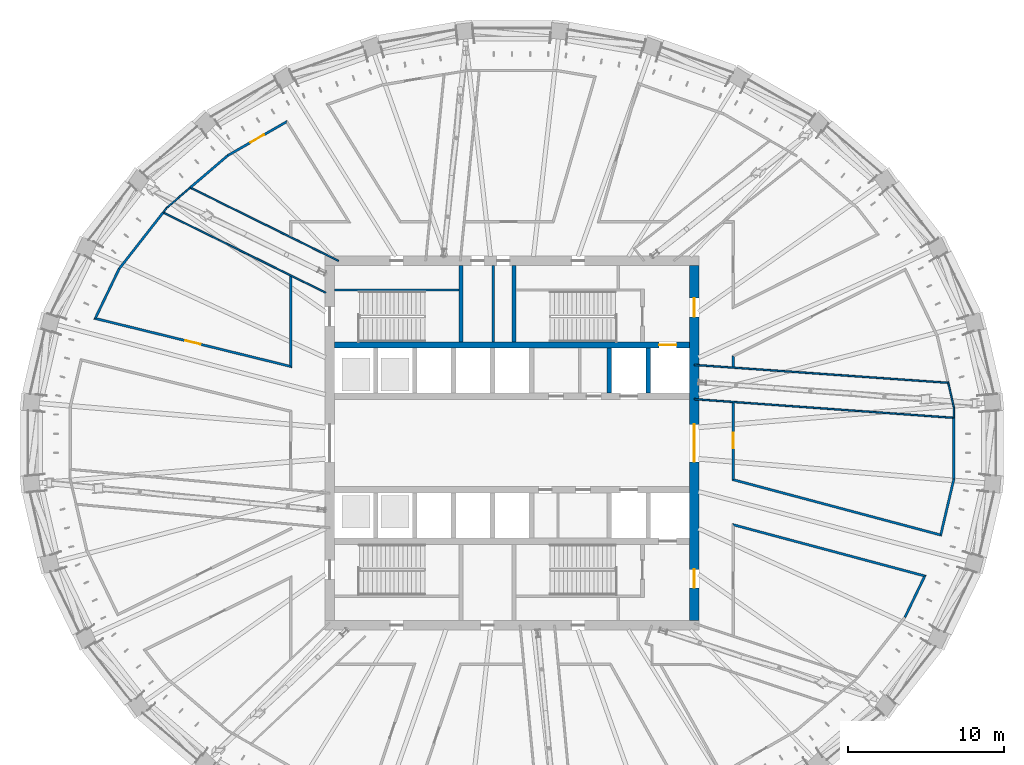
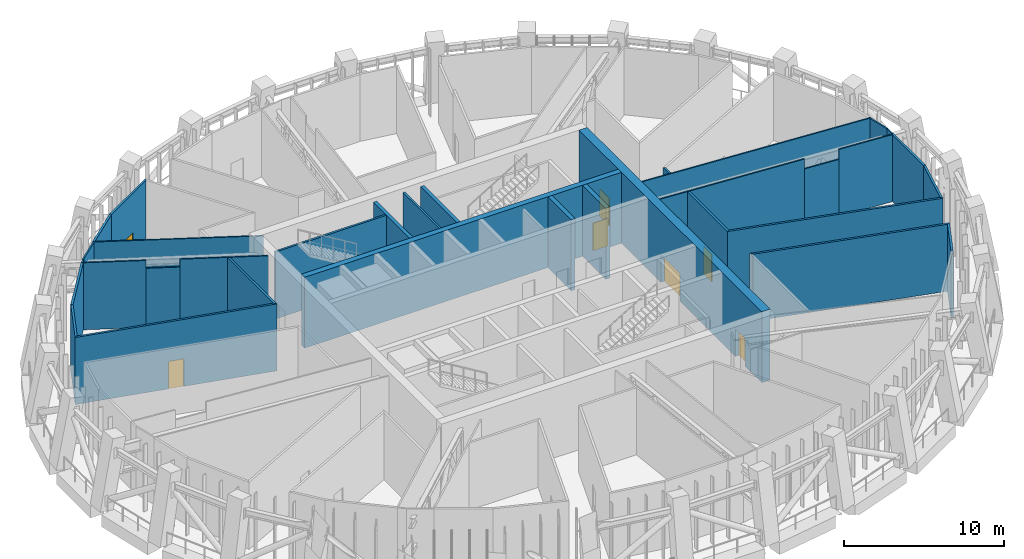
# One storey, part 9 of 20: 33 walls, 7 doors, 7 openings.
"""IFC4 building model written with IfcOpenShell, lengths in metres."""

from ifc_helpers import new_model, si_unit, direction, frame, frame_2d, origin, place, context, subcontext, project, spatial, polyline, rectangle, outline, extrude, material, layer, layer_set, type_object, element, fill, save


model = new_model("IFC4")

# Units and contexts
model_context = context("Model", 3, precision=1e-05, world=origin(), true_north=direction((0.0, 1.0)))
body_context = subcontext(model_context, "Body", "Model", "MODEL_VIEW")
ifc_project = project(units=[si_unit("LENGTHUNIT", "METRE"), si_unit("AREAUNIT", "SQUARE_METRE"), si_unit("VOLUMEUNIT", "CUBIC_METRE"), si_unit("PLANEANGLEUNIT", "RADIAN"), si_unit("MASSUNIT", "GRAM", prefix="KILO")], contexts=[model_context])

# Site, building, storey
site_placement = place(None, origin())
site = spatial("IfcSite", under=ifc_project, at=site_placement, CompositionType="ELEMENT")
building_placement = place(site_placement, origin())
building = spatial("IfcBuilding", under=site, at=building_placement, Name="Halqa Exchange Tower", CompositionType="ELEMENT")
storey_placement = place(building_placement, frame((0.0, 0.0, 250.89990234375)))
storey = spatial("IfcBuildingStorey", under=building, at=storey_placement, Name="L58", CompositionType="ELEMENT", Elevation=250.89990234375)

# Wall, opening, door
ifc_material_1 = material(Name="Fire-rated gypsum board")
ifc_layer_1 = layer(ifc_material_1, 0.14990234375)
ifc_layer_set_1 = layer_set([ifc_layer_1], Name="Fire-rated gypsum board")
wall_type_1 = type_object("IfcWallType", Name="Fire partition EI 60 150", PredefinedType="PARTITIONING", material=ifc_layer_set_1)
wall_1_placement = place(storey_placement, frame((-26.83984375, 8.02197265625, 0.0), z_axis=(0.0, 0.0, 1.0), x_axis=(0.971181734847, -0.238340172652, 0.0)))
wall_1 = element("IfcWall", 1, at=wall_1_placement, inside=storey, type_object=wall_type_1, Name="L58-PWL-010", PredefinedType="PARTITIONING", context=body_context, shape_type="SweptSolid", body=[
    extrude(outline(polyline([(0.0, -0.074951171875), (1.873046875, -0.074951171875), (3.745849609375, -0.074951171875), (5.618896484375, -0.074951171875), (7.49169921875, -0.074951171875), (9.36474609375, -0.074951171875), (11.237548828125, -0.074951171875), (13.110595703125, -0.074951171875), (12.91943359375, 0.074951171875), (11.10009765625, 0.074951171875), (9.281005859375, 0.074951171875), (7.461669921875, 0.074951171875), (5.642578125, 0.074951171875), (3.8232421875, 0.074951171875), (2.00390625, 0.074951171875), (0.184814453125, 0.074951171875), (0.0, -0.074951171875), (0.0, -0.074951171875)])), origin(), (0.0, 0.0, 1.0), 5.10009765625),
])
opening_1_placement = place(wall_1_placement, frame((6.0537109375, 0.0, 0.0)))
opening_1 = element("IfcOpeningElement", 2, at=opening_1_placement, cuts=wall_1, Name="Opening L58-15", PredefinedType="OPENING", context=body_context, shape_type="SweptSolid", body=[
    extrude(rectangle(XDim=1.0, YDim=2.10009765625, at=frame_2d((0.5, 1.050048828125))), frame((0.0, 0.0869140625, 0.0), z_axis=(0.0, -1.0, 0.0), x_axis=(1.0, 0.0, 0.0)), (0.0, 0.0, 1.0), 0.173828125),
])
ifc_material_2 = material(Name="Steel fire door leaf", Category="steel")
door_type_1 = type_object("IfcDoorType", Name="Fire door FD30S 1000 x 2100", OperationType="SINGLE_SWING_LEFT", PredefinedType="DOOR", material=ifc_material_2)
door_1_placement = place(opening_1_placement, origin())
door_1 = element("IfcDoor", 3, at=door_1_placement, inside=storey, type_object=door_type_1, Name="L58-IDR-015", OperationType="SINGLE_SWING_RIGHT", OverallHeight=2.10009765625, OverallWidth=1.0, PredefinedType="DOOR", context=body_context, shape_type="SweptSolid", body=[
    extrude(rectangle(XDim=1.0, YDim=2.10009765625, at=frame_2d((0.5, 1.050048828125))), frame((0.0, 0.02490234375, 0.0), z_axis=(0.0, -1.0, 0.0), x_axis=(1.0, 0.0, 0.0)), (0.0, 0.0, 1.0), 0.050048828125),
])
fill(opening_1, door_1)

# Walls
wall_2_placement = place(storey_placement, frame((-25.216552734375, 11.187255859375, 0.0), z_axis=(0.0, 0.0, 1.0), x_axis=(-0.433546599655, -0.901131148018, 0.0)))
element("IfcWall", 4, at=wall_2_placement, inside=storey, type_object=wall_type_1, Name="L58-PWL-012", PredefinedType="PARTITIONING", context=body_context, shape_type="SweptSolid", body=[
    extrude(outline(polyline([(0.0, -0.074951171875), (1.814697265625, -0.074951171875), (3.62939453125, -0.074951171875), (3.444580078125, 0.074951171875), (1.730224609375, 0.074951171875), (0.01611328125, 0.074951171875), (0.0, -0.074462890625), (0.0, -0.074951171875)])), origin(), (0.0, 0.0, 1.0), 5.10009765625),
])
wall_3_placement = place(storey_placement, frame((-22.39111328125, 14.79833984375, 0.0), z_axis=(0.0, 0.0, 1.0), x_axis=(-0.615933342792, -0.787798271918, 0.0)))
element("IfcWall", 5, at=wall_3_placement, inside=storey, type_object=wall_type_1, Name="L58-PWL-014", PredefinedType="PARTITIONING", context=body_context, shape_type="SweptSolid", body=[
    extrude(outline(polyline([(0.0, -0.074951171875), (1.53369140625, -0.074951171875), (3.0673828125, -0.074951171875), (4.60107421875, -0.074951171875), (4.5849609375, 0.074951171875), (3.056640625, 0.074951171875), (1.5283203125, 0.074951171875), (0.0, 0.074951171875), (0.0, -0.074951171875)])), origin(), (0.0, 0.0, 1.0), 5.10009765625),
])
wall_4_placement = place(storey_placement, frame((-18.234619140625, 18.464599609375, 0.0), z_axis=(0.0, 0.0, 1.0), x_axis=(-0.76011828392, -0.649784729315, 0.0)))
element("IfcWall", 6, at=wall_4_placement, inside=storey, type_object=wall_type_1, Name="L58-PWL-023", PredefinedType="PARTITIONING", context=body_context, shape_type="SweptSolid", body=[
    extrude(outline(polyline([(3.177490234375, 0.074951171875), (1.595703125, 0.074951171875), (0.01416015625, 0.074951171875), (0.0, -0.074951171875), (1.5888671875, -0.074951171875), (3.177490234375, -0.074951171875), (3.177490234375, 0.074951171875)])), origin(), (0.0, 0.0, 1.0), 5.10009765625),
])

# Wall, opening, door
wall_5_placement = place(storey_placement, frame((-14.397216796875, 20.666015625, 0.0), z_axis=(0.0, 0.0, 1.0), x_axis=(-0.867259694759, -0.497856025219, 0.0)))
wall_5 = element("IfcWall", 7, at=wall_5_placement, inside=storey, type_object=wall_type_1, Name="L58-PWL-026", PredefinedType="PARTITIONING", context=body_context, shape_type="SweptSolid", body=[
    extrude(outline(polyline([(0.0, -0.074951171875), (1.479248046875, -0.074951171875), (2.958740234375, -0.074951171875), (4.43798828125, -0.074951171875), (4.424072265625, 0.074951171875), (2.99755859375, 0.074951171875), (1.5712890625, 0.074951171875), (0.144775390625, 0.074951171875), (0.0, -0.074951171875), (0.0, -0.074951171875)])), origin(), (0.0, 0.0, 1.0), 5.10009765625),
])
opening_2_placement = place(wall_5_placement, frame((1.751708984375, 0.0, 0.0)))
opening_2 = element("IfcOpeningElement", 8, at=opening_2_placement, cuts=wall_5, Name="Opening L58-14", PredefinedType="OPENING", context=body_context, shape_type="SweptSolid", body=[
    extrude(rectangle(XDim=1.0, YDim=2.10009765625, at=frame_2d((0.5, 1.050048828125))), frame((0.0, 0.0869140625, 0.0), z_axis=(0.0, -1.0, 0.0), x_axis=(1.0, 0.0, 0.0)), (0.0, 0.0, 1.0), 0.173828125),
])
door_2_placement = place(opening_2_placement, origin())
door_2 = element("IfcDoor", 9, at=door_2_placement, inside=storey, type_object=door_type_1, Name="L58-IDR-014", OperationType="SINGLE_SWING_RIGHT", OverallHeight=2.10009765625, OverallWidth=1.0, PredefinedType="DOOR", context=body_context, shape_type="SweptSolid", body=[
    extrude(rectangle(XDim=1.0, YDim=2.10009765625, at=frame_2d((0.5, 1.050048828125))), frame((0.0, 0.02490234375, 0.0), z_axis=(0.0, -1.0, 0.0), x_axis=(1.0, 0.0, 0.0)), (0.0, 0.0, 1.0), 0.050048828125),
])
fill(opening_2, door_2)

# Walls
wall_6_placement = place(storey_placement, frame((-14.199951171875, 4.824462890625, 0.0), z_axis=(0.0, 0.0, 1.0), x_axis=(0.0, 1.0, 0.0)))
element("IfcWall", 10, at=wall_6_placement, inside=storey, type_object=wall_type_1, Name="L58-PWL-031", PredefinedType="PARTITIONING", context=body_context, shape_type="SweptSolid", body=[
    extrude(outline(polyline([(0.0, -0.074951171875), (1.947509765625, -0.074951171875), (3.89501953125, -0.074951171875), (5.8427734375, -0.074951171875), (5.91650390625, 0.07470703125), (5.91650390625, 0.074951171875), (4.008056640625, 0.074951171875), (2.099609375, 0.074951171875), (0.191162109375, 0.074951171875), (0.095458984375, 0.0), (0.0, -0.074951171875), (0.0, -0.074951171875)])), origin(), (0.0, 0.0, 1.0), 5.10009765625),
])
wall_7_placement = place(storey_placement, frame((14.105712890625, -5.21484375, 0.0), z_axis=(0.0, 0.0, 1.0), x_axis=(0.966039521804, -0.258394354258, 0.0)))
element("IfcWall", 11, at=wall_7_placement, inside=storey, type_object=wall_type_1, Name="L58-PWL-080", PredefinedType="PARTITIONING", context=body_context, shape_type="SweptSolid", body=[
    extrude(outline(polyline([(0.1953125, -0.074951171875), (1.986572265625, -0.074951171875), (3.778076171875, -0.074951171875), (5.5693359375, -0.074951171875), (7.360595703125, -0.074951171875), (9.152099609375, -0.074951171875), (10.943359375, -0.074951171875), (12.734619140625, -0.074951171875), (12.91552734375, 0.074951171875), (11.070556640625, 0.074951171875), (9.2255859375, 0.074951171875), (7.38037109375, 0.074951171875), (5.535400390625, 0.074951171875), (3.690185546875, 0.074951171875), (1.84521484375, 0.074951171875), (0.0, 0.074951171875), (0.1953125, -0.074951171875)])), origin(), (0.0, 0.0, 1.0), 5.10009765625),
])
wall_8_placement = place(storey_placement, frame((14.144287109375, -2.335205078125, 0.0), z_axis=(0.0, 0.0, 1.0), x_axis=(0.966274524703, -0.257514160603, 0.0)))
element("IfcWall", 12, at=wall_8_placement, inside=storey, type_object=wall_type_1, Name="L58-PWL-081", PredefinedType="PARTITIONING", context=body_context, shape_type="SweptSolid", body=[
    extrude(outline(polyline([(0.0, -0.074951171875), (1.98828125, -0.074951171875), (3.976318359375, -0.074951171875), (5.964599609375, -0.074951171875), (7.952880859375, -0.074951171875), (9.94091796875, -0.074951171875), (11.92919921875, -0.074951171875), (13.91748046875, -0.074951171875), (13.762939453125, 0.074951171875), (11.813232421875, 0.074951171875), (9.863525390625, 0.074951171875), (7.913818359375, 0.074951171875), (5.964111328125, 0.074951171875), (4.0146484375, 0.074951171875), (2.06494140625, 0.074951171875), (0.115234375, 0.074951171875), (0.0, -0.074951171875)])), origin(), (0.0, 0.0, 1.0), 5.10009765625),
])

# Wall, opening, door
wall_9_placement = place(storey_placement, frame((14.199951171875, 2.594970703125, 0.0), z_axis=(0.0, 0.0, 1.0), x_axis=(0.0, -1.0, 0.0)))
wall_9 = element("IfcWall", 13, at=wall_9_placement, inside=storey, type_object=wall_type_1, Name="L58-PWL-082", PredefinedType="PARTITIONING", context=body_context, shape_type="SweptSolid", body=[
    extrude(outline(polyline([(0.0, -0.074951171875), (1.66748046875, -0.074951171875), (3.3349609375, -0.074951171875), (5.002685546875, -0.074951171875), (4.945068359375, 0.0), (4.887451171875, 0.074951171875), (3.26171875, 0.074951171875), (1.63623046875, 0.074951171875), (0.010498046875, 0.074951171875), (0.0, -0.0703125), (0.0, -0.074951171875)])), origin(), (0.0, 0.0, 1.0), 5.10009765625),
])
opening_3_placement = place(wall_9_placement, frame((1.93994140625, 0.0, 0.0)))
opening_3 = element("IfcOpeningElement", 14, at=opening_3_placement, cuts=wall_9, Name="Opening L58-08", PredefinedType="OPENING", context=body_context, shape_type="SweptSolid", body=[
    extrude(rectangle(XDim=1.0, YDim=2.10009765625, at=frame_2d((0.5, 1.050048828125))), frame((0.0, 0.0869140625, 0.0), z_axis=(0.0, -1.0, 0.0), x_axis=(1.0, 0.0, 0.0)), (0.0, 0.0, 1.0), 0.173828125),
])
door_3_placement = place(opening_3_placement, origin())
door_3 = element("IfcDoor", 15, at=door_3_placement, inside=storey, type_object=door_type_1, Name="L58-IDR-008", OperationType="SINGLE_SWING_RIGHT", OverallHeight=2.10009765625, OverallWidth=1.0, PredefinedType="DOOR", context=body_context, shape_type="SweptSolid", body=[
    extrude(rectangle(XDim=1.0, YDim=2.10009765625, at=frame_2d((0.5, 1.050048828125))), frame((0.0, 0.02490234375, 0.0), z_axis=(0.0, -1.0, 0.0), x_axis=(1.0, 0.0, 0.0)), (0.0, 0.0, 1.0), 0.050048828125),
])
fill(opening_3, door_3)

# Walls
wall_10_placement = place(storey_placement, frame((14.199951171875, 5.626220703125, 0.0), z_axis=(0.0, 0.0, 1.0), x_axis=(0.0, -1.0, 0.0)))
element("IfcWall", 16, at=wall_10_placement, inside=storey, type_object=wall_type_1, Name="L58-PWL-083", PredefinedType="PARTITIONING", context=body_context, shape_type="SweptSolid", body=[
    extrude(outline(polyline([(0.0, -0.074951171875), (0.72705078125, -0.074951171875), (0.73779296875, 0.074951171875), (0.09228515625, 0.074951171875), (0.046142578125, 0.0), (0.0, -0.074951171875)])), origin(), (0.0, 0.0, 1.0), 5.10009765625),
])
wall_11_placement = place(storey_placement, frame((25.216552734375, -11.187255859375, 0.0), z_axis=(0.0, 0.0, 1.0), x_axis=(0.433511403882, 0.901148080342, 0.0)))
element("IfcWall", 17, at=wall_11_placement, inside=storey, type_object=wall_type_1, Name="L58-PWL-093", PredefinedType="PARTITIONING", context=body_context, shape_type="SweptSolid", body=[
    extrude(outline(polyline([(3.04052734375, -0.074951171875), (3.04052734375, -0.074951171875), (2.859619140625, 0.074951171875), (1.43798828125, 0.074951171875), (0.01611328125, 0.074951171875), (0.0, -0.074462890625), (0.0, -0.074951171875), (1.520263671875, -0.074951171875), (3.04052734375, -0.074951171875)])), origin(), (0.0, 0.0, 1.0), 5.10009765625),
])
wall_12_placement = place(storey_placement, frame((27.5, -5.974609375, 0.0), z_axis=(0.0, 0.0, 1.0), x_axis=(0.228487467085, 0.973546854232, 0.0)))
element("IfcWall", 18, at=wall_12_placement, inside=storey, type_object=wall_type_1, Name="L58-PWL-097", PredefinedType="PARTITIONING", context=body_context, shape_type="SweptSolid", body=[
    extrude(outline(polyline([(0.000244140625, -0.074951171875), (1.886474609375, -0.074951171875), (3.77294921875, -0.074951171875), (3.755615234375, 0.074951171875), (1.955078125, 0.074951171875), (0.154541015625, 0.074951171875), (0.000244140625, -0.074951171875)])), origin(), (0.0, 0.0, 1.0), 5.10009765625),
])
wall_13_placement = place(storey_placement, frame((28.360107421875, -2.318603515625, 0.0), z_axis=(0.0, 0.0, 1.0), x_axis=(0.0, 1.0, 0.0)))
element("IfcWall", 19, at=wall_13_placement, inside=storey, type_object=wall_type_1, Name="L58-PWL-098", PredefinedType="PARTITIONING", context=body_context, shape_type="SweptSolid", body=[
    extrude(outline(polyline([(3.95849609375, 0.074951171875), (1.98779296875, 0.074951171875), (0.017333984375, 0.074951171875), (0.0, -0.07421875), (0.0, -0.074951171875), (1.979248046875, -0.074951171875), (3.95849609375, -0.074951171875), (3.95849609375, 0.074951171875)])), origin(), (0.0, 0.0, 1.0), 5.10009765625),
])
ifc_material_3 = material(Name="Gypsum board")
ifc_layer_2 = layer(ifc_material_3, 0.10009765625)
ifc_layer_set_2 = layer_set([ifc_layer_2], Name="Gypsum board")
wall_type_2 = type_object("IfcWallType", Name="Partition 100 gypsum", PredefinedType="PARTITIONING", material=ifc_layer_set_2)
wall_14_placement = place(storey_placement, frame((-22.335205078125, 14.77294921875, 0.0), z_axis=(0.0, 0.0, 1.0), x_axis=(0.896802594661, -0.442430905577, 0.0)))
element("IfcWall", 20, at=wall_14_placement, inside=storey, type_object=wall_type_2, Name="L58-PWL-015", PredefinedType="PARTITIONING", context=body_context, shape_type="SweptSolid", body=[
    extrude(outline(polyline([(0.0, 0.050048828125), (0.0, -0.0146484375), (0.011962890625, -0.017333984375), (0.005126953125, -0.050048828125), (1.96533203125, -0.050048828125), (3.925537109375, -0.050048828125), (3.925537109375, 0.050048828125), (1.962890625, 0.050048828125), (0.0, 0.050048828125)])), origin(), (0.0, 0.0, 1.0), 5.10009765625),
])
wall_15_placement = place(storey_placement, frame((-22.156982421875, 15.10400390625, 0.0), z_axis=(0.0, 0.0, 1.0), x_axis=(-0.608085380433, -0.793871633266, 0.0)))
element("IfcWall", 21, at=wall_15_placement, inside=storey, type_object=wall_type_2, Name="L58-PWL-017", PredefinedType="PARTITIONING", context=body_context, shape_type="SweptSolid", body=[
    extrude(outline(polyline([(0.0, -0.050048828125), (0.384521484375, -0.050048828125), (0.385009765625, -0.001953125), (0.385009765625, 0.050048828125), (0.322509765625, 0.050048828125), (0.322021484375, 0.050048828125), (0.322021484375, 0.050048828125), (0.01025390625, 0.050048828125), (0.01025390625, 0.050048828125), (0.01025390625, 0.050048828125), (0.005126953125, 0.0), (0.0, -0.04833984375), (0.0, -0.050048828125)])), origin(), (0.0, 0.0, 1.0), 5.10009765625),
])
wall_16_placement = place(storey_placement, frame((-20.64990234375, 16.39990234375, 0.0), z_axis=(0.0, 0.0, 1.0), x_axis=(-0.757874548708, -0.652400313014, 0.0)))
element("IfcWall", 22, at=wall_16_placement, inside=storey, type_object=wall_type_2, Name="L58-PWL-018", PredefinedType="PARTITIONING", context=body_context, shape_type="SweptSolid", body=[
    extrude(outline(polyline([(1.99755859375, -0.050048828125), (1.99755859375, -0.048828125), (1.9873046875, 0.050048828125), (0.0, 0.050048828125), (0.0, -0.050048828125), (1.99755859375, -0.050048828125)])), origin(), (0.0, 0.0, 1.0), 5.10009765625),
])
wall_17_placement = place(storey_placement, frame((-20.6201171875, 16.38525390625, 0.0), z_axis=(0.0, 0.0, 1.0), x_axis=(0.896490791299, -0.443062367073, 0.0)))
element("IfcWall", 23, at=wall_17_placement, inside=storey, type_object=wall_type_2, Name="L58-PWL-019", PredefinedType="PARTITIONING", context=body_context, shape_type="SweptSolid", body=[
    extrude(outline(polyline([(10.57470703125, 0.050048828125), (8.81689453125, 0.050048828125), (7.05908203125, 0.050048828125), (7.05419921875, 0.047607421875), (7.052978515625, 0.050048828125), (5.30712890625, 0.050048828125), (3.561279296875, 0.050048828125), (1.8154296875, 0.050048828125), (0.069580078125, 0.050048828125), (0.03564453125, -0.029541015625), (0.0126953125, -0.019775390625), (0.0, -0.049560546875), (0.0, -0.050048828125), (1.762451171875, -0.050048828125), (3.52490234375, -0.050048828125), (5.287353515625, -0.050048828125), (7.0498046875, -0.050048828125), (8.812255859375, -0.050048828125), (10.57470703125, -0.050048828125), (10.57470703125, 0.050048828125)])), origin(), (0.0, 0.0, 1.0), 5.10009765625),
])
wall_18_placement = place(storey_placement, frame((11.699951171875, 2.820068359375, 0.0), z_axis=(0.0, 0.0, 1.0), x_axis=(0.997417199195, -0.071825697006, 0.0)))
element("IfcWall", 24, at=wall_18_placement, inside=storey, type_object=wall_type_2, Name="L58-PWL-073", PredefinedType="PARTITIONING", context=body_context, shape_type="SweptSolid", body=[
    extrude(outline(polyline([(0.0, -0.050048828125), (1.288818359375, -0.050048828125), (2.57763671875, -0.050048828125), (2.585205078125, -0.049560546875), (2.585205078125, -0.050048828125), (4.57763671875, -0.050048828125), (6.56982421875, -0.050048828125), (8.56201171875, -0.050048828125), (10.55419921875, -0.050048828125), (10.55419921875, 0.050048828125), (8.795166015625, 0.050048828125), (7.0361328125, 0.050048828125), (5.277099609375, 0.050048828125), (3.51806640625, 0.050048828125), (1.759033203125, 0.050048828125), (0.0, 0.050048828125), (0.0, -0.050048828125)])), origin(), (0.0, 0.0, 1.0), 5.10009765625),
])
wall_19_placement = place(storey_placement, frame((11.699951171875, 5.02001953125, 0.0), z_axis=(0.0, 0.0, 1.0), x_axis=(0.997521106379, -0.070367906947, 0.0)))
element("IfcWall", 25, at=wall_19_placement, inside=storey, type_object=wall_type_2, Name="L58-PWL-074", PredefinedType="PARTITIONING", context=body_context, shape_type="SweptSolid", body=[
    extrude(rectangle(XDim=16.34130859375, YDim=0.10009765625, at=frame_2d((8.170654296875, 0.0))), origin(), (0.0, 0.0, 1.0), 5.10009765625),
])
wall_20_placement = place(storey_placement, frame((28.360107421875, 1.639892578125, 0.0), z_axis=(0.0, 0.0, 1.0), x_axis=(0.0, 1.0, 0.0)))
element("IfcWall", 26, at=wall_20_placement, inside=storey, type_object=wall_type_2, Name="L58-PWL-099", PredefinedType="PARTITIONING", context=body_context, shape_type="SweptSolid", body=[
    extrude(outline(polyline([(0.67578125, -0.050048828125), (0.67578125, -0.0498046875), (0.664306640625, 0.050048828125), (0.0, 0.050048828125), (0.0, -0.050048828125), (0.67578125, -0.050048828125)])), origin(), (0.0, 0.0, 1.0), 5.10009765625),
])
wall_21_placement = place(storey_placement, frame((28.361328125, 2.304443359375, 0.0), z_axis=(0.0, 0.0, 1.0), x_axis=(-0.224870109073, 0.974388748932, 0.0)))
element("IfcWall", 27, at=wall_21_placement, inside=storey, type_object=wall_type_2, Name="L58-PWL-100", PredefinedType="PARTITIONING", context=body_context, shape_type="SweptSolid", body=[
    extrude(outline(polyline([(1.681640625, -0.050048828125), (1.681640625, 0.031494140625), (1.681640625, 0.050048828125), (1.67431640625, 0.050048828125), (1.654296875, -0.015380859375), (1.558837890625, 0.013916015625), (1.56982421875, 0.050048828125), (0.011474609375, 0.050048828125), (0.005615234375, 0.0), (0.0, -0.050048828125), (0.0, -0.050048828125), (0.0, -0.050048828125), (1.681640625, -0.050048828125)])), origin(), (0.0, 0.0, 1.0), 5.10009765625),
])
wall_22_placement = place(storey_placement, frame((-18.814697265625, 13.0361328125, 0.0), z_axis=(0.0, 0.0, 1.0), x_axis=(0.896845699722, -0.442343521361, 0.0)))
element("IfcWall", 28, at=wall_22_placement, inside=storey, type_object=wall_type_2, Name="L58-PWL-103", PredefinedType="PARTITIONING", context=body_context, shape_type="SweptSolid", body=[
    extrude(outline(polyline([(0.0, 0.050048828125), (0.0, -0.050048828125), (2.1083984375, -0.050048828125), (2.1083984375, 0.050048828125), (0.0, 0.050048828125)])), origin(), (0.0, 0.0, 1.0), 4.5),
])
wall_23_placement = place(storey_placement, frame((-16.923828125, 12.103515625, 0.0), z_axis=(0.0, 0.0, 1.0), x_axis=(0.896817761144, -0.442400161954, 0.0)))
element("IfcWall", 29, at=wall_23_placement, inside=storey, type_object=wall_type_2, Name="L58-PWL-104", PredefinedType="PARTITIONING", context=body_context, shape_type="SweptSolid", body=[
    extrude(outline(polyline([(0.0, -0.050048828125), (1.5693359375, -0.050048828125), (3.138916015625, -0.050048828125), (3.144287109375, -0.04736328125), (3.1455078125, -0.050048828125), (5.546142578125, -0.050048828125), (5.546142578125, 0.050048828125), (3.697509765625, 0.050048828125), (1.8486328125, 0.050048828125), (0.0, 0.050048828125), (0.0, -0.050048828125)])), origin(), (0.0, 0.0, 1.0), 5.10009765625),
])
wall_24_placement = place(storey_placement, frame((22.226806640625, 2.06201171875, 0.0), z_axis=(0.0, 0.0, 1.0), x_axis=(0.997418974708, -0.071801036847, 0.0)))
element("IfcWall", 30, at=wall_24_placement, inside=storey, type_object=wall_type_2, Name="L58-PWL-110", PredefinedType="PARTITIONING", context=body_context, shape_type="SweptSolid", body=[
    extrude(outline(polyline([(0.0, 0.050048828125), (0.0, -0.050048828125), (2.380126953125, -0.050048828125), (2.380126953125, 0.050048828125), (0.0, 0.050048828125)])), origin(), (0.0, 0.0, 1.0), 4.34716796875),
])
wall_25_placement = place(storey_placement, frame((24.600830078125, 1.89111328125, 0.0), z_axis=(0.0, 0.0, 1.0), x_axis=(0.997421535465, -0.071765455408, 0.0)))
element("IfcWall", 31, at=wall_25_placement, inside=storey, type_object=wall_type_2, Name="L58-PWL-111", PredefinedType="PARTITIONING", context=body_context, shape_type="SweptSolid", body=[
    extrude(outline(polyline([(0.0, -0.050048828125), (1.8486328125, -0.050048828125), (3.697265625, -0.050048828125), (3.692626953125, 0.013916015625), (3.71484375, 0.015625), (3.71484375, 0.050048828125), (1.857421875, 0.050048828125), (0.0, 0.050048828125), (0.0, -0.050048828125)])), origin(), (0.0, 0.0, 1.0), 5.10009765625),
])
ifc_layer_3 = layer(ifc_material_3, 0.14990234375)
ifc_layer_set_3 = layer_set([ifc_layer_3], Name="Gypsum board")
wall_type_3 = type_object("IfcWallType", Name="Penthouse riser wall 150 gypsum", PredefinedType="PARTITIONING", material=ifc_layer_set_3)
wall_26_placement = place(storey_placement, frame((-1.199951171875, 6.5, 0.0), z_axis=(0.0, 0.0, 1.0), x_axis=(0.0, 1.0, 0.0)))
element("IfcWall", 32, at=wall_26_placement, inside=storey, type_object=wall_type_3, Name="Partition W1.200 N", PredefinedType="PARTITIONING", context=body_context, shape_type="SweptSolid", body=[
    extrude(rectangle(XDim=4.89990234375, YDim=0.14990234375, at=frame_2d((2.449951171875, 0.0))), origin(), (0.0, 0.0, 1.0), 5.10009765625),
])
ifc_material_4 = material(Name="Concrete C60/75", Category="concrete")
ifc_layer_4 = layer(ifc_material_4, 0.300048828125)
ifc_layer_set_4 = layer_set([ifc_layer_4], Name="Concrete C60/75")
wall_type_4 = type_object("IfcWallType", Name="RC core wall 300", PredefinedType="SHEAR", material=ifc_layer_set_4)
for number, where, z_axis, x_axis, name in (
    (33, (6.25, 3.199951171875, 0.0), (0.0, 0.0, 1.0), (0.0, 1.0, 0.0), "Shaft divider N7"),
    (34, (8.75, 3.199951171875, 0.0), (0.0, 0.0, 1.0), (0.0, 1.0, 0.0), "Shaft divider N8"),
):
    element("IfcWall", number, at=place(storey_placement, frame(where, z_axis=z_axis, x_axis=x_axis)), inside=storey, type_object=wall_type_4, Name=name, PredefinedType="SHEAR", context=body_context, shape_type="SweptSolid", body=[
        extrude(rectangle(XDim=2.900146484375, YDim=0.300048828125, at=frame_2d((1.4501953125, 0.0))), origin(), (0.0, 0.0, 1.0), 5.400146484375),
    ])

# Wall, opening, door
ifc_material_5 = material(Name="Concrete C70/85", Category="concrete")
ifc_layer_5 = layer(ifc_material_5, 0.39990234375)
ifc_layer_set_5 = layer_set([ifc_layer_5], Name="Concrete C70/85")
wall_type_5 = type_object("IfcWallType", Name="RC core wall 400 C70/85", PredefinedType="SHEAR", material=ifc_layer_set_5)
wall_27_placement = place(storey_placement, frame((-11.39990234375, 6.300048828125, 0.0), z_axis=(0.0, 0.0, 1.0), x_axis=(1.0, 0.0, 0.0)))
wall_27 = element("IfcWall", 35, at=wall_27_placement, inside=storey, type_object=wall_type_5, Name="Lift row back wall N", PredefinedType="SHEAR", context=body_context, shape_type="SweptSolid", body=[
    extrude(rectangle(XDim=22.7998046875, YDim=0.39990234375, at=frame_2d((11.39990234375, 0.0))), origin(), (0.0, 0.0, 1.0), 5.400146484375),
])
opening_4_placement = place(wall_27_placement, frame((20.85009765625, 0.0, 0.0)))
opening_4 = element("IfcOpeningElement", 36, at=opening_4_placement, cuts=wall_27, Name="Opening LD-FF1-L58", PredefinedType="OPENING", context=body_context, shape_type="SweptSolid", body=[
    extrude(rectangle(XDim=1.10009765625, YDim=2.10009765625, at=frame_2d((0.550048828125, 1.050048828125))), frame((0.0, 0.2119140625, 0.0), z_axis=(0.0, -1.0, 0.0), x_axis=(1.0, 0.0, 0.0)), (0.0, 0.0, 1.0), 0.423828125),
])
ifc_material_6 = material(Name="Stainless steel", Category="steel")
door_type_2 = type_object("IfcDoorType", Name="Lift landing door 1100 x 2100", OperationType="SLIDING_TO_LEFT", PredefinedType="DOOR", material=ifc_material_6)
door_4_placement = place(opening_4_placement, origin())
door_4 = element("IfcDoor", 37, at=door_4_placement, inside=storey, type_object=door_type_2, Name="Lift landing door FF1", OperationType="SLIDING_TO_LEFT", OverallHeight=2.10009765625, OverallWidth=1.10009765625, PredefinedType="DOOR", context=body_context, shape_type="SweptSolid", body=[
    extrude(rectangle(XDim=1.10009765625, YDim=2.10009765625, at=frame_2d((0.550048828125, 1.050048828125))), frame((0.0, 0.02490234375, 0.0), z_axis=(0.0, -1.0, 0.0), x_axis=(1.0, 0.0, 0.0)), (0.0, 0.0, 1.0), 0.050048828125),
])
fill(opening_4, door_4)

# Wall, openings, doors
ifc_layer_6 = layer(ifc_material_5, 0.60009765625)
ifc_layer_set_6 = layer_set([ifc_layer_6], Name="Concrete C70/85")
wall_type_6 = type_object("IfcWallType", Name="RC core wall 600 C70/85", PredefinedType="SHEAR", material=ifc_layer_set_6)
wall_28_placement = place(storey_placement, frame((11.699951171875, -11.39990234375, 0.0), z_axis=(0.0, 0.0, 1.0), x_axis=(0.0, 1.0, 0.0)))
wall_28 = element("IfcWall", 38, at=wall_28_placement, inside=storey, type_object=wall_type_6, Name="Core wall east", PredefinedType="SHEAR", context=body_context, shape_type="SweptSolid", body=[
    extrude(rectangle(XDim=22.7998046875, YDim=0.60009765625, at=frame_2d((11.39990234375, 0.0))), origin(), (0.0, 0.0, 1.0), 5.400146484375),
])
opening_5_placement = place(wall_28_placement, frame((10.199951171875, 0.0, 0.0)))
opening_5 = element("IfcOpeningElement", 39, at=opening_5_placement, cuts=wall_28, Name="Opening L58-C06", PredefinedType="OPENING", context=body_context, shape_type="SweptSolid", body=[
    extrude(rectangle(XDim=2.39990234375, YDim=2.10009765625, at=frame_2d((1.199951171875, 1.050048828125))), frame((0.0, 0.31201171875, 0.0), z_axis=(0.0, -1.0, 0.0), x_axis=(1.0, 0.0, 0.0)), (0.0, 0.0, 1.0), 0.6240234375),
])
opening_6_placement = place(wall_28_placement, frame((19.5, 0.0, 0.0)))
opening_6 = element("IfcOpeningElement", 40, at=opening_6_placement, cuts=wall_28, Name="Opening L58-C11", PredefinedType="OPENING", context=body_context, shape_type="SweptSolid", body=[
    extrude(rectangle(XDim=1.199951171875, YDim=2.10009765625, at=frame_2d((0.60009765625, 1.050048828125))), frame((0.0, 0.31201171875, 0.0), z_axis=(0.0, -1.0, 0.0), x_axis=(1.0, 0.0, 0.0)), (0.0, 0.0, 1.0), 0.6240234375),
])
opening_7_placement = place(wall_28_placement, frame((2.10009765625, 0.0, 0.0)))
opening_7 = element("IfcOpeningElement", 41, at=opening_7_placement, cuts=wall_28, Name="Opening L58-C12", PredefinedType="OPENING", context=body_context, shape_type="SweptSolid", body=[
    extrude(rectangle(XDim=1.199951171875, YDim=2.10009765625, at=frame_2d((0.60009765625, 1.050048828125))), frame((0.0, 0.31201171875, 0.0), z_axis=(0.0, -1.0, 0.0), x_axis=(1.0, 0.0, 0.0)), (0.0, 0.0, 1.0), 0.6240234375),
])
door_type_3 = type_object("IfcDoorType", Name="Firefighting lobby door FD90 1200 x 2100", OperationType="SINGLE_SWING_RIGHT", PredefinedType="DOOR", material=ifc_material_2)
door_5_placement = place(opening_6_placement, origin())
door_5 = element("IfcDoor", 42, at=door_5_placement, inside=storey, type_object=door_type_3, Name="Firefighting lobby door", OperationType="SINGLE_SWING_RIGHT", OverallHeight=2.10009765625, OverallWidth=1.199951171875, PredefinedType="DOOR", context=body_context, shape_type="SweptSolid", body=[
    extrude(rectangle(XDim=1.199951171875, YDim=2.10009765625, at=frame_2d((0.60009765625, 1.050048828125))), frame((0.0, 0.02490234375, 0.0), z_axis=(0.0, -1.0, 0.0), x_axis=(1.0, 0.0, 0.0)), (0.0, 0.0, 1.0), 0.050048828125),
])
fill(opening_6, door_5)
door_6_placement = place(opening_7_placement, origin())
door_6 = element("IfcDoor", 43, at=door_6_placement, inside=storey, type_object=door_type_3, Name="Firefighting lobby door", OperationType="SINGLE_SWING_LEFT", OverallHeight=2.10009765625, OverallWidth=1.199951171875, PredefinedType="DOOR", context=body_context, shape_type="SweptSolid", body=[
    extrude(rectangle(XDim=1.199951171875, YDim=2.10009765625, at=frame_2d((0.60009765625, 1.050048828125))), frame((0.0, 0.02490234375, 0.0), z_axis=(0.0, -1.0, 0.0), x_axis=(1.0, 0.0, 0.0)), (0.0, 0.0, 1.0), 0.050048828125),
])
fill(opening_7, door_6)
door_type_4 = type_object("IfcDoorType", Name="Lobby double door FD60 2400 x 2100", OperationType="DOUBLE_DOOR_SINGLE_SWING", PredefinedType="DOOR", material=ifc_material_2)
door_7_placement = place(opening_5_placement, frame((2.39990234375, 0.0, 0.0), z_axis=(0.0, 0.0, 1.0), x_axis=(-1.0, 0.0, 0.0)))
door_7 = element("IfcDoor", 44, at=door_7_placement, inside=storey, type_object=door_type_4, Name="Lift lobby double door", OperationType="DOUBLE_DOOR_SINGLE_SWING", OverallHeight=2.10009765625, OverallWidth=2.39990234375, PredefinedType="DOOR", context=body_context, shape_type="SweptSolid", body=[
    extrude(rectangle(XDim=2.39990234375, YDim=2.10009765625, at=frame_2d((1.199951171875, 1.050048828125))), frame((0.0, 0.02490234375, 0.0), z_axis=(0.0, -1.0, 0.0), x_axis=(1.0, 0.0, 0.0)), (0.0, 0.0, 1.0), 0.050048828125),
])
fill(opening_5, door_7)

# Walls
ifc_material_7 = material(Name="Concrete C30/37", Category="concrete")
ifc_layer_7 = layer(ifc_material_7, 0.14990234375)
ifc_layer_set_7 = layer_set([ifc_layer_7], Name="Concrete C30/37")
wall_type_7 = type_object("IfcWallType", Name="RC stair wall 150 C30/37", PredefinedType="SHEAR", material=ifc_layer_set_7)
wall_29_placement = place(storey_placement, frame((-11.39990234375, 9.824951171875, 0.0), z_axis=(0.0, 0.0, 1.0), x_axis=(1.0, 0.0, 0.0)))
element("IfcWall", 45, at=wall_29_placement, inside=storey, type_object=wall_type_7, Name="Stair ST1 north wall N", PredefinedType="SHEAR", context=body_context, shape_type="SweptSolid", body=[
    extrude(rectangle(XDim=8.0, YDim=0.14990234375, at=frame_2d((4.0, 0.0))), origin(), (0.0, 0.0, 1.0), 5.10009765625),
])
ifc_layer_8 = layer(ifc_material_7, 0.25)
ifc_layer_set_8 = layer_set([ifc_layer_8], Name="Concrete C30/37")
wall_type_8 = type_object("IfcWallType", Name="RC stair wall 250 C30/37", PredefinedType="SHEAR", material=ifc_layer_set_8)
for number, where, z_axis, x_axis, name in (
    (46, (-3.27490234375, 6.5, 0.0), (0.0, 0.0, 1.0), (0.0, 1.0, 0.0), "Stair ST1 east wall N"),
    (47, (0.125, 6.5, 0.0), (0.0, 0.0, 1.0), (0.0, 1.0, 0.0), "Stair ST2 west wall N"),
):
    element("IfcWall", number, at=place(storey_placement, frame(where, z_axis=z_axis, x_axis=x_axis)), inside=storey, type_object=wall_type_8, Name=name, PredefinedType="SHEAR", context=body_context, shape_type="SweptSolid", body=[
        extrude(rectangle(XDim=4.89990234375, YDim=0.25, at=frame_2d((2.449951171875, 0.0))), origin(), (0.0, 0.0, 1.0), 5.10009765625),
    ])

save(model, "model.ifc")
